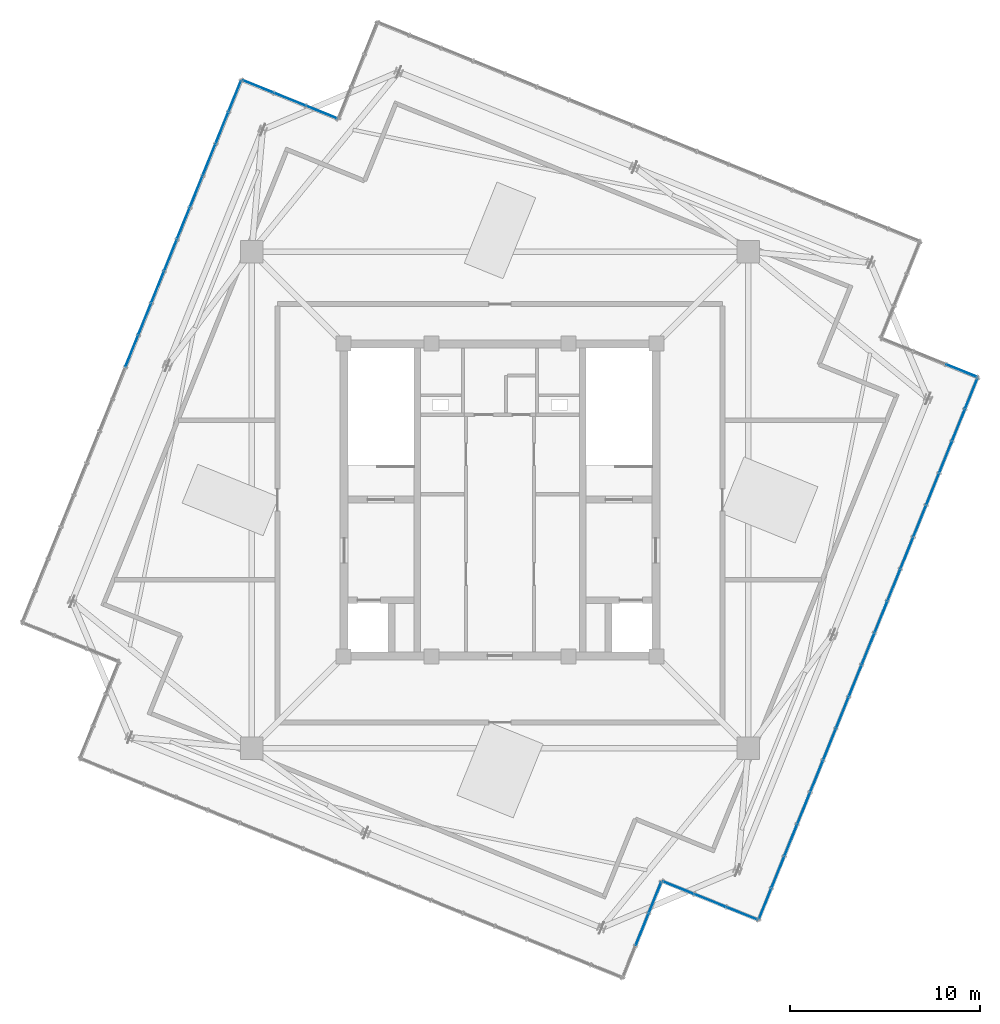
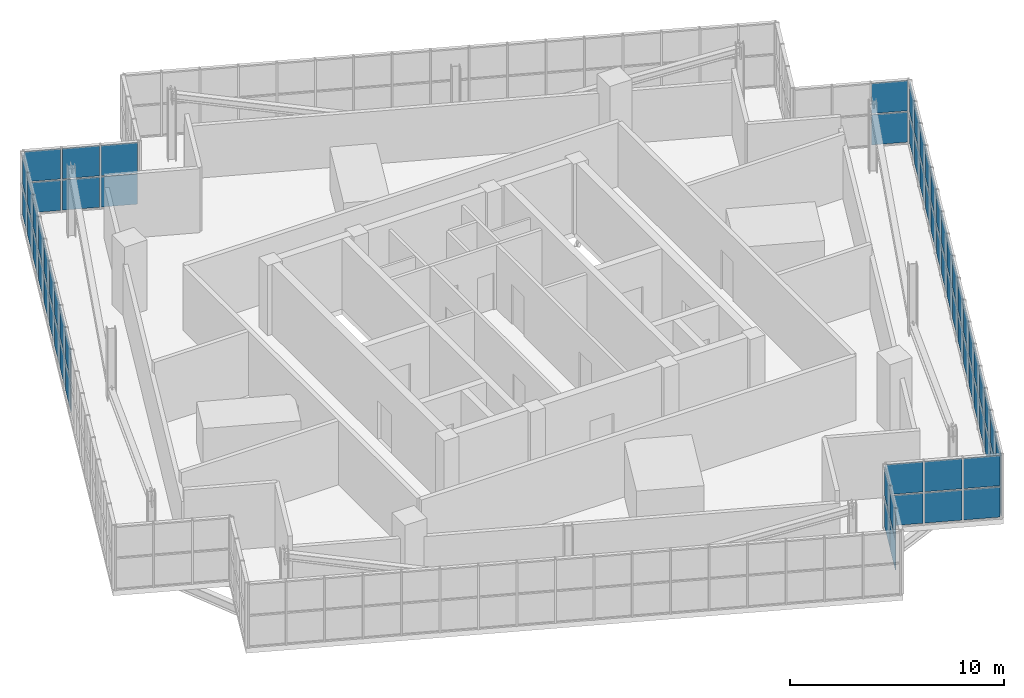
# One storey, part 19 of 26: 70 plates, 6 elements without a shape of their own.
"""IFC4 building model written with IfcOpenShell, lengths in metres."""

from ifc_helpers import new_model, si_unit, direction, frame, origin, origin_2d, place, context, subcontext, project, spatial, rectangle, extrude, source, transform, mapped, material, layer, layer_set, type_object, element, aggregate, save


model = new_model("IFC4")

# Units and contexts
model_context = context("Model", 3, precision=1e-05, world=origin(), true_north=direction((0.0, 1.0)))
body_context = subcontext(model_context, "Body", "Model", "MODEL_VIEW")
ifc_project = project(units=[si_unit("LENGTHUNIT", "METRE"), si_unit("AREAUNIT", "SQUARE_METRE"), si_unit("VOLUMEUNIT", "CUBIC_METRE"), si_unit("PLANEANGLEUNIT", "RADIAN"), si_unit("MASSUNIT", "GRAM", prefix="KILO"), si_unit("THERMODYNAMICTEMPERATUREUNIT", "KELVIN")], contexts=[model_context])

# Site, building, storey
site_placement = place(None, origin())
site = spatial("IfcSite", under=ifc_project, at=site_placement, CompositionType="ELEMENT")
building_placement = place(site_placement, origin())
building = spatial("IfcBuilding", under=site, at=building_placement, Name="Kosmvard Interchange Tower", CompositionType="ELEMENT")
storey_placement = place(building_placement, frame((0.0, 0.0, 341.60009765625)))
storey = spatial("IfcBuildingStorey", under=building, at=storey_placement, Name="L84", CompositionType="ELEMENT", Elevation=341.60009765625)

# Curtain wall, plates
ifc_material_1 = material(Name="Architectural anodised aluminium", Category="aluminium")
ifc_layer_1 = layer(ifc_material_1, 0.25, Name="Architectural anodised aluminium")
ifc_layer_set_1 = layer_set([ifc_layer_1], Name="Architectural anodised aluminium")
curtain_wall_type = type_object("IfcCurtainWallType", Name="CW-6 Illuminated Crown Lantern Curtain Wall", PredefinedType="NOTDEFINED", material=ifc_layer_set_1)
curtain_wall_1_placement = place(storey_placement, origin())
curtain_wall_1 = element("IfcCurtainWall", 1, at=curtain_wall_1_placement, inside=storey, type_object=curtain_wall_type, Name="L84 Crown Lantern Glazing Face 01", PredefinedType="NOTDEFINED")
ifc_material_2 = material(Name="Laminated acoustic lantern glazing", Category="glass")
ifc_layer_2 = layer(ifc_material_2, 0.035888671875, Name="Laminated acoustic lantern glazing")
ifc_layer_set_2 = layer_set([ifc_layer_2], Name="Laminated acoustic lantern glazing")
plate_type = type_object("IfcPlateType", Name="Lantern Diffused Illuminated Panel 36", PredefinedType="CURTAIN_PANEL", material=ifc_layer_set_2)
shared_shape_1 = source(origin(), body_context, "Body", "SweptSolid", [
    extrude(rectangle(XDim=1.694091796875, YDim=0.035888671875, at=origin_2d()), origin(), (0.0, 0.0, 1.0), 1.719970703125),
])
plate_1_placement = place(storey_placement, frame((13.967529296875, -21.2744140625, 0.06982421875), z_axis=(0.0, 0.0, 1.0), x_axis=(0.374606584758, 0.927183858065, 0.0)))
plate_1 = element("IfcPlate", 2, at=plate_1_placement, type_object=plate_type, Name="CW-6 panel 1.1", PredefinedType="CURTAIN_PANEL", context=body_context, shape_type="MappedRepresentation", body=[
    mapped(shared_shape_1, transform((0.0, 0.0, 0.0), scale=1.0)),
])
plate_2_placement = place(storey_placement, frame((13.967529296875, -21.2744140625, 1.85986328125), z_axis=(0.0, 0.0, 1.0), x_axis=(0.374606584758, 0.927183858065, 0.0)))
plate_2 = element("IfcPlate", 3, at=plate_2_placement, type_object=plate_type, Name="CW-6 panel 1.2", PredefinedType="CURTAIN_PANEL", context=body_context, shape_type="MappedRepresentation", body=[
    mapped(shared_shape_1, transform((0.0, 0.0, 0.0), scale=1.0)),
])
plate_3_placement = place(storey_placement, frame((24.825927734375, 5.600830078125, 0.06982421875), z_axis=(0.0, 0.0, 1.0), x_axis=(0.374606584758, 0.927183858065, 0.0)))
plate_3 = element("IfcPlate", 4, at=plate_3_placement, type_object=plate_type, Name="CW-6 panel 17.1", PredefinedType="CURTAIN_PANEL", context=body_context, shape_type="MappedRepresentation", body=[
    mapped(shared_shape_1, transform((0.0, 0.0, 0.0), scale=1.0)),
])
plate_4_placement = place(storey_placement, frame((24.825927734375, 5.600830078125, 1.85986328125), z_axis=(0.0, 0.0, 1.0), x_axis=(0.374606584758, 0.927183858065, 0.0)))
plate_4 = element("IfcPlate", 5, at=plate_4_placement, type_object=plate_type, Name="CW-6 panel 17.2", PredefinedType="CURTAIN_PANEL", context=body_context, shape_type="MappedRepresentation", body=[
    mapped(shared_shape_1, transform((0.0, 0.0, 0.0), scale=1.0)),
])

curtain_wall_2_placement = place(storey_placement, origin())
curtain_wall_2 = element("IfcCurtainWall", 6, at=curtain_wall_2_placement, inside=storey, type_object=curtain_wall_type, Name="L84 Crown Lantern Glazing Face 07", PredefinedType="NOTDEFINED")
plate_5_placement = place(storey_placement, frame((-13.967529296875, 21.2744140625, 0.06982421875), z_axis=(0.0, 0.0, 1.0), x_axis=(-0.374606584758, -0.927183858065, 0.0)))
plate_5 = element("IfcPlate", 7, at=plate_5_placement, type_object=plate_type, Name="CW-6 panel 1.1", PredefinedType="CURTAIN_PANEL", context=body_context, shape_type="MappedRepresentation", body=[
    mapped(shared_shape_1, transform((0.0, 0.0, 0.0), scale=1.0)),
])
plate_6_placement = place(storey_placement, frame((-13.967529296875, 21.2744140625, 1.85986328125), z_axis=(0.0, 0.0, 1.0), x_axis=(-0.374606584758, -0.927183858065, 0.0)))
plate_6 = element("IfcPlate", 8, at=plate_6_placement, type_object=plate_type, Name="CW-6 panel 1.2", PredefinedType="CURTAIN_PANEL", context=body_context, shape_type="MappedRepresentation", body=[
    mapped(shared_shape_1, transform((0.0, 0.0, 0.0), scale=1.0)),
])

# Plate
shared_shape_2 = source(origin(), body_context, "Body", "SweptSolid", [
    extrude(rectangle(XDim=1.734130859375, YDim=0.035888671875, at=origin_2d()), origin(), (0.0, 0.0, 1.0), 1.719970703125),
])
plate_7_placement = place(storey_placement, frame((14.6396484375, -19.61083984375, 0.06982421875), z_axis=(0.0, 0.0, 1.0), x_axis=(0.374606584758, 0.927183858065, 0.0)))
plate_7 = element("IfcPlate", 9, at=plate_7_placement, type_object=plate_type, Name="CW-6 panel 2.1", PredefinedType="CURTAIN_PANEL", context=body_context, shape_type="MappedRepresentation", body=[
    mapped(shared_shape_2, transform((0.0, 0.0, 0.0), scale=1.0)),
])

plate_8_placement = place(storey_placement, frame((14.6396484375, -19.61083984375, 1.85986328125), z_axis=(0.0, 0.0, 1.0), x_axis=(0.374606584758, 0.927183858065, 0.0)))
plate_8 = element("IfcPlate", 10, at=plate_8_placement, type_object=plate_type, Name="CW-6 panel 2.2", PredefinedType="CURTAIN_PANEL", context=body_context, shape_type="MappedRepresentation", body=[
    mapped(shared_shape_2, transform((0.0, 0.0, 0.0), scale=1.0)),
])

plate_9_placement = place(storey_placement, frame((15.319091796875, -17.928955078125, 0.06982421875), z_axis=(0.0, 0.0, 1.0), x_axis=(0.374606584758, 0.927183858065, 0.0)))
plate_9 = element("IfcPlate", 11, at=plate_9_placement, type_object=plate_type, Name="CW-6 panel 3.1", PredefinedType="CURTAIN_PANEL", context=body_context, shape_type="MappedRepresentation", body=[
    mapped(shared_shape_2, transform((0.0, 0.0, 0.0), scale=1.0)),
])

plate_10_placement = place(storey_placement, frame((15.319091796875, -17.928955078125, 1.85986328125), z_axis=(0.0, 0.0, 1.0), x_axis=(0.374606584758, 0.927183858065, 0.0)))
plate_10 = element("IfcPlate", 12, at=plate_10_placement, type_object=plate_type, Name="CW-6 panel 3.2", PredefinedType="CURTAIN_PANEL", context=body_context, shape_type="MappedRepresentation", body=[
    mapped(shared_shape_2, transform((0.0, 0.0, 0.0), scale=1.0)),
])

plate_11_placement = place(storey_placement, frame((15.998779296875, -16.246826171875, 0.06982421875), z_axis=(0.0, 0.0, 1.0), x_axis=(0.374606584758, 0.927183858065, 0.0)))
plate_11 = element("IfcPlate", 13, at=plate_11_placement, type_object=plate_type, Name="CW-6 panel 4.1", PredefinedType="CURTAIN_PANEL", context=body_context, shape_type="MappedRepresentation", body=[
    mapped(shared_shape_2, transform((0.0, 0.0, 0.0), scale=1.0)),
])

plate_12_placement = place(storey_placement, frame((15.998779296875, -16.246826171875, 1.85986328125), z_axis=(0.0, 0.0, 1.0), x_axis=(0.374606584758, 0.927183858065, 0.0)))
plate_12 = element("IfcPlate", 14, at=plate_12_placement, type_object=plate_type, Name="CW-6 panel 4.2", PredefinedType="CURTAIN_PANEL", context=body_context, shape_type="MappedRepresentation", body=[
    mapped(shared_shape_2, transform((0.0, 0.0, 0.0), scale=1.0)),
])

plate_13_placement = place(storey_placement, frame((16.678466796875, -14.56494140625, 0.06982421875), z_axis=(0.0, 0.0, 1.0), x_axis=(0.374606584758, 0.927183858065, 0.0)))
plate_13 = element("IfcPlate", 15, at=plate_13_placement, type_object=plate_type, Name="CW-6 panel 5.1", PredefinedType="CURTAIN_PANEL", context=body_context, shape_type="MappedRepresentation", body=[
    mapped(shared_shape_2, transform((0.0, 0.0, 0.0), scale=1.0)),
])

plate_14_placement = place(storey_placement, frame((16.678466796875, -14.56494140625, 1.85986328125), z_axis=(0.0, 0.0, 1.0), x_axis=(0.374606584758, 0.927183858065, 0.0)))
plate_14 = element("IfcPlate", 16, at=plate_14_placement, type_object=plate_type, Name="CW-6 panel 5.2", PredefinedType="CURTAIN_PANEL", context=body_context, shape_type="MappedRepresentation", body=[
    mapped(shared_shape_2, transform((0.0, 0.0, 0.0), scale=1.0)),
])

plate_15_placement = place(storey_placement, frame((17.35791015625, -12.8828125, 0.06982421875), z_axis=(0.0, 0.0, 1.0), x_axis=(0.374606584758, 0.927183858065, 0.0)))
plate_15 = element("IfcPlate", 17, at=plate_15_placement, type_object=plate_type, Name="CW-6 panel 6.1", PredefinedType="CURTAIN_PANEL", context=body_context, shape_type="MappedRepresentation", body=[
    mapped(shared_shape_2, transform((0.0, 0.0, 0.0), scale=1.0)),
])

plate_16_placement = place(storey_placement, frame((17.35791015625, -12.8828125, 1.85986328125), z_axis=(0.0, 0.0, 1.0), x_axis=(0.374606584758, 0.927183858065, 0.0)))
plate_16 = element("IfcPlate", 18, at=plate_16_placement, type_object=plate_type, Name="CW-6 panel 6.2", PredefinedType="CURTAIN_PANEL", context=body_context, shape_type="MappedRepresentation", body=[
    mapped(shared_shape_2, transform((0.0, 0.0, 0.0), scale=1.0)),
])

plate_17_placement = place(storey_placement, frame((18.03759765625, -11.200927734375, 0.06982421875), z_axis=(0.0, 0.0, 1.0), x_axis=(0.374606584758, 0.927183858065, 0.0)))
plate_17 = element("IfcPlate", 19, at=plate_17_placement, type_object=plate_type, Name="CW-6 panel 7.1", PredefinedType="CURTAIN_PANEL", context=body_context, shape_type="MappedRepresentation", body=[
    mapped(shared_shape_2, transform((0.0, 0.0, 0.0), scale=1.0)),
])

plate_18_placement = place(storey_placement, frame((18.03759765625, -11.200927734375, 1.85986328125), z_axis=(0.0, 0.0, 1.0), x_axis=(0.374606584758, 0.927183858065, 0.0)))
plate_18 = element("IfcPlate", 20, at=plate_18_placement, type_object=plate_type, Name="CW-6 panel 7.2", PredefinedType="CURTAIN_PANEL", context=body_context, shape_type="MappedRepresentation", body=[
    mapped(shared_shape_2, transform((0.0, 0.0, 0.0), scale=1.0)),
])

plate_19_placement = place(storey_placement, frame((18.717041015625, -9.518798828125, 0.06982421875), z_axis=(0.0, 0.0, 1.0), x_axis=(0.374606584758, 0.927183858065, 0.0)))
plate_19 = element("IfcPlate", 21, at=plate_19_placement, type_object=plate_type, Name="CW-6 panel 8.1", PredefinedType="CURTAIN_PANEL", context=body_context, shape_type="MappedRepresentation", body=[
    mapped(shared_shape_2, transform((0.0, 0.0, 0.0), scale=1.0)),
])

plate_20_placement = place(storey_placement, frame((18.717041015625, -9.518798828125, 1.85986328125), z_axis=(0.0, 0.0, 1.0), x_axis=(0.374606584758, 0.927183858065, 0.0)))
plate_20 = element("IfcPlate", 22, at=plate_20_placement, type_object=plate_type, Name="CW-6 panel 8.2", PredefinedType="CURTAIN_PANEL", context=body_context, shape_type="MappedRepresentation", body=[
    mapped(shared_shape_2, transform((0.0, 0.0, 0.0), scale=1.0)),
])

plate_21_placement = place(storey_placement, frame((19.396728515625, -7.836669921875, 0.06982421875), z_axis=(0.0, 0.0, 1.0), x_axis=(0.374606584758, 0.927183858065, 0.0)))
plate_21 = element("IfcPlate", 23, at=plate_21_placement, type_object=plate_type, Name="CW-6 panel 9.1", PredefinedType="CURTAIN_PANEL", context=body_context, shape_type="MappedRepresentation", body=[
    mapped(shared_shape_2, transform((0.0, 0.0, 0.0), scale=1.0)),
])

plate_22_placement = place(storey_placement, frame((19.396728515625, -7.836669921875, 1.85986328125), z_axis=(0.0, 0.0, 1.0), x_axis=(0.374606584758, 0.927183858065, 0.0)))
plate_22 = element("IfcPlate", 24, at=plate_22_placement, type_object=plate_type, Name="CW-6 panel 9.2", PredefinedType="CURTAIN_PANEL", context=body_context, shape_type="MappedRepresentation", body=[
    mapped(shared_shape_2, transform((0.0, 0.0, 0.0), scale=1.0)),
])

plate_23_placement = place(storey_placement, frame((20.076171875, -6.15478515625, 0.06982421875), z_axis=(0.0, 0.0, 1.0), x_axis=(0.374606584758, 0.927183858065, 0.0)))
plate_23 = element("IfcPlate", 25, at=plate_23_placement, type_object=plate_type, Name="CW-6 panel 10.1", PredefinedType="CURTAIN_PANEL", context=body_context, shape_type="MappedRepresentation", body=[
    mapped(shared_shape_2, transform((0.0, 0.0, 0.0), scale=1.0)),
])

plate_24_placement = place(storey_placement, frame((20.076171875, -6.15478515625, 1.85986328125), z_axis=(0.0, 0.0, 1.0), x_axis=(0.374606584758, 0.927183858065, 0.0)))
plate_24 = element("IfcPlate", 26, at=plate_24_placement, type_object=plate_type, Name="CW-6 panel 10.2", PredefinedType="CURTAIN_PANEL", context=body_context, shape_type="MappedRepresentation", body=[
    mapped(shared_shape_2, transform((0.0, 0.0, 0.0), scale=1.0)),
])

plate_25_placement = place(storey_placement, frame((20.755859375, -4.47265625, 0.06982421875), z_axis=(0.0, 0.0, 1.0), x_axis=(0.374606584758, 0.927183858065, 0.0)))
plate_25 = element("IfcPlate", 27, at=plate_25_placement, type_object=plate_type, Name="CW-6 panel 11.1", PredefinedType="CURTAIN_PANEL", context=body_context, shape_type="MappedRepresentation", body=[
    mapped(shared_shape_2, transform((0.0, 0.0, 0.0), scale=1.0)),
])

plate_26_placement = place(storey_placement, frame((20.755859375, -4.47265625, 1.85986328125), z_axis=(0.0, 0.0, 1.0), x_axis=(0.374606584758, 0.927183858065, 0.0)))
plate_26 = element("IfcPlate", 28, at=plate_26_placement, type_object=plate_type, Name="CW-6 panel 11.2", PredefinedType="CURTAIN_PANEL", context=body_context, shape_type="MappedRepresentation", body=[
    mapped(shared_shape_2, transform((0.0, 0.0, 0.0), scale=1.0)),
])

plate_27_placement = place(storey_placement, frame((21.435546875, -2.790771484375, 0.06982421875), z_axis=(0.0, 0.0, 1.0), x_axis=(0.374606584758, 0.927183858065, 0.0)))
plate_27 = element("IfcPlate", 29, at=plate_27_placement, type_object=plate_type, Name="CW-6 panel 12.1", PredefinedType="CURTAIN_PANEL", context=body_context, shape_type="MappedRepresentation", body=[
    mapped(shared_shape_2, transform((0.0, 0.0, 0.0), scale=1.0)),
])

plate_28_placement = place(storey_placement, frame((21.435546875, -2.790771484375, 1.85986328125), z_axis=(0.0, 0.0, 1.0), x_axis=(0.374606584758, 0.927183858065, 0.0)))
plate_28 = element("IfcPlate", 30, at=plate_28_placement, type_object=plate_type, Name="CW-6 panel 12.2", PredefinedType="CURTAIN_PANEL", context=body_context, shape_type="MappedRepresentation", body=[
    mapped(shared_shape_2, transform((0.0, 0.0, 0.0), scale=1.0)),
])

plate_29_placement = place(storey_placement, frame((22.114990234375, -1.108642578125, 0.06982421875), z_axis=(0.0, 0.0, 1.0), x_axis=(0.374606584758, 0.927183858065, 0.0)))
plate_29 = element("IfcPlate", 31, at=plate_29_placement, type_object=plate_type, Name="CW-6 panel 13.1", PredefinedType="CURTAIN_PANEL", context=body_context, shape_type="MappedRepresentation", body=[
    mapped(shared_shape_2, transform((0.0, 0.0, 0.0), scale=1.0)),
])

plate_30_placement = place(storey_placement, frame((22.114990234375, -1.108642578125, 1.85986328125), z_axis=(0.0, 0.0, 1.0), x_axis=(0.374606584758, 0.927183858065, 0.0)))
plate_30 = element("IfcPlate", 32, at=plate_30_placement, type_object=plate_type, Name="CW-6 panel 13.2", PredefinedType="CURTAIN_PANEL", context=body_context, shape_type="MappedRepresentation", body=[
    mapped(shared_shape_2, transform((0.0, 0.0, 0.0), scale=1.0)),
])

plate_31_placement = place(storey_placement, frame((22.794677734375, 0.5732421875, 0.06982421875), z_axis=(0.0, 0.0, 1.0), x_axis=(0.374606584758, 0.927183858065, 0.0)))
plate_31 = element("IfcPlate", 33, at=plate_31_placement, type_object=plate_type, Name="CW-6 panel 14.1", PredefinedType="CURTAIN_PANEL", context=body_context, shape_type="MappedRepresentation", body=[
    mapped(shared_shape_2, transform((0.0, 0.0, 0.0), scale=1.0)),
])

plate_32_placement = place(storey_placement, frame((22.794677734375, 0.5732421875, 1.85986328125), z_axis=(0.0, 0.0, 1.0), x_axis=(0.374606584758, 0.927183858065, 0.0)))
plate_32 = element("IfcPlate", 34, at=plate_32_placement, type_object=plate_type, Name="CW-6 panel 14.2", PredefinedType="CURTAIN_PANEL", context=body_context, shape_type="MappedRepresentation", body=[
    mapped(shared_shape_2, transform((0.0, 0.0, 0.0), scale=1.0)),
])

plate_33_placement = place(storey_placement, frame((23.47412109375, 2.25537109375, 0.06982421875), z_axis=(0.0, 0.0, 1.0), x_axis=(0.374606584758, 0.927183858065, 0.0)))
plate_33 = element("IfcPlate", 35, at=plate_33_placement, type_object=plate_type, Name="CW-6 panel 15.1", PredefinedType="CURTAIN_PANEL", context=body_context, shape_type="MappedRepresentation", body=[
    mapped(shared_shape_2, transform((0.0, 0.0, 0.0), scale=1.0)),
])

plate_34_placement = place(storey_placement, frame((23.47412109375, 2.25537109375, 1.85986328125), z_axis=(0.0, 0.0, 1.0), x_axis=(0.374606584758, 0.927183858065, 0.0)))
plate_34 = element("IfcPlate", 36, at=plate_34_placement, type_object=plate_type, Name="CW-6 panel 15.2", PredefinedType="CURTAIN_PANEL", context=body_context, shape_type="MappedRepresentation", body=[
    mapped(shared_shape_2, transform((0.0, 0.0, 0.0), scale=1.0)),
])

plate_35_placement = place(storey_placement, frame((24.15380859375, 3.937255859375, 0.06982421875), z_axis=(0.0, 0.0, 1.0), x_axis=(0.374606584758, 0.927183858065, 0.0)))
plate_35 = element("IfcPlate", 37, at=plate_35_placement, type_object=plate_type, Name="CW-6 panel 16.1", PredefinedType="CURTAIN_PANEL", context=body_context, shape_type="MappedRepresentation", body=[
    mapped(shared_shape_2, transform((0.0, 0.0, 0.0), scale=1.0)),
])

plate_36_placement = place(storey_placement, frame((24.15380859375, 3.937255859375, 1.85986328125), z_axis=(0.0, 0.0, 1.0), x_axis=(0.374606584758, 0.927183858065, 0.0)))
plate_36 = element("IfcPlate", 38, at=plate_36_placement, type_object=plate_type, Name="CW-6 panel 16.2", PredefinedType="CURTAIN_PANEL", context=body_context, shape_type="MappedRepresentation", body=[
    mapped(shared_shape_2, transform((0.0, 0.0, 0.0), scale=1.0)),
])

aggregate(curtain_wall_1, [plate_1, plate_2, plate_7, plate_8, plate_9, plate_10, plate_11, plate_12, plate_13, plate_14, plate_15, plate_16, plate_17, plate_18, plate_19, plate_20, plate_21, plate_22, plate_23, plate_24, plate_25, plate_26, plate_27, plate_28, plate_29, plate_30, plate_31, plate_32, plate_33, plate_34, plate_35, plate_36, plate_3, plate_4])

plate_37_placement = place(storey_placement, frame((-14.6396484375, 19.61083984375, 0.06982421875), z_axis=(0.0, 0.0, 1.0), x_axis=(-0.374606584758, -0.927183858065, 0.0)))
plate_37 = element("IfcPlate", 39, at=plate_37_placement, type_object=plate_type, Name="CW-6 panel 2.1", PredefinedType="CURTAIN_PANEL", context=body_context, shape_type="MappedRepresentation", body=[
    mapped(shared_shape_2, transform((0.0, 0.0, 0.0), scale=1.0)),
])

plate_38_placement = place(storey_placement, frame((-14.6396484375, 19.61083984375, 1.85986328125), z_axis=(0.0, 0.0, 1.0), x_axis=(-0.374606584758, -0.927183858065, 0.0)))
plate_38 = element("IfcPlate", 40, at=plate_38_placement, type_object=plate_type, Name="CW-6 panel 2.2", PredefinedType="CURTAIN_PANEL", context=body_context, shape_type="MappedRepresentation", body=[
    mapped(shared_shape_2, transform((0.0, 0.0, 0.0), scale=1.0)),
])

plate_39_placement = place(storey_placement, frame((-15.319091796875, 17.928955078125, 0.06982421875), z_axis=(0.0, 0.0, 1.0), x_axis=(-0.374606584758, -0.927183858065, 0.0)))
plate_39 = element("IfcPlate", 41, at=plate_39_placement, type_object=plate_type, Name="CW-6 panel 3.1", PredefinedType="CURTAIN_PANEL", context=body_context, shape_type="MappedRepresentation", body=[
    mapped(shared_shape_2, transform((0.0, 0.0, 0.0), scale=1.0)),
])

plate_40_placement = place(storey_placement, frame((-15.319091796875, 17.928955078125, 1.85986328125), z_axis=(0.0, 0.0, 1.0), x_axis=(-0.374606584758, -0.927183858065, 0.0)))
plate_40 = element("IfcPlate", 42, at=plate_40_placement, type_object=plate_type, Name="CW-6 panel 3.2", PredefinedType="CURTAIN_PANEL", context=body_context, shape_type="MappedRepresentation", body=[
    mapped(shared_shape_2, transform((0.0, 0.0, 0.0), scale=1.0)),
])

plate_41_placement = place(storey_placement, frame((-15.998779296875, 16.246826171875, 0.06982421875), z_axis=(0.0, 0.0, 1.0), x_axis=(-0.374606584758, -0.927183858065, 0.0)))
plate_41 = element("IfcPlate", 43, at=plate_41_placement, type_object=plate_type, Name="CW-6 panel 4.1", PredefinedType="CURTAIN_PANEL", context=body_context, shape_type="MappedRepresentation", body=[
    mapped(shared_shape_2, transform((0.0, 0.0, 0.0), scale=1.0)),
])

plate_42_placement = place(storey_placement, frame((-15.998779296875, 16.246826171875, 1.85986328125), z_axis=(0.0, 0.0, 1.0), x_axis=(-0.374606584758, -0.927183858065, 0.0)))
plate_42 = element("IfcPlate", 44, at=plate_42_placement, type_object=plate_type, Name="CW-6 panel 4.2", PredefinedType="CURTAIN_PANEL", context=body_context, shape_type="MappedRepresentation", body=[
    mapped(shared_shape_2, transform((0.0, 0.0, 0.0), scale=1.0)),
])

plate_43_placement = place(storey_placement, frame((-16.678466796875, 14.56494140625, 0.06982421875), z_axis=(0.0, 0.0, 1.0), x_axis=(-0.374606584758, -0.927183858065, 0.0)))
plate_43 = element("IfcPlate", 45, at=plate_43_placement, type_object=plate_type, Name="CW-6 panel 5.1", PredefinedType="CURTAIN_PANEL", context=body_context, shape_type="MappedRepresentation", body=[
    mapped(shared_shape_2, transform((0.0, 0.0, 0.0), scale=1.0)),
])

plate_44_placement = place(storey_placement, frame((-16.678466796875, 14.56494140625, 1.85986328125), z_axis=(0.0, 0.0, 1.0), x_axis=(-0.374606584758, -0.927183858065, 0.0)))
plate_44 = element("IfcPlate", 46, at=plate_44_placement, type_object=plate_type, Name="CW-6 panel 5.2", PredefinedType="CURTAIN_PANEL", context=body_context, shape_type="MappedRepresentation", body=[
    mapped(shared_shape_2, transform((0.0, 0.0, 0.0), scale=1.0)),
])

plate_45_placement = place(storey_placement, frame((-17.35791015625, 12.8828125, 0.06982421875), z_axis=(0.0, 0.0, 1.0), x_axis=(-0.374606584758, -0.927183858065, 0.0)))
plate_45 = element("IfcPlate", 47, at=plate_45_placement, type_object=plate_type, Name="CW-6 panel 6.1", PredefinedType="CURTAIN_PANEL", context=body_context, shape_type="MappedRepresentation", body=[
    mapped(shared_shape_2, transform((0.0, 0.0, 0.0), scale=1.0)),
])

plate_46_placement = place(storey_placement, frame((-17.35791015625, 12.8828125, 1.85986328125), z_axis=(0.0, 0.0, 1.0), x_axis=(-0.374606584758, -0.927183858065, 0.0)))
plate_46 = element("IfcPlate", 48, at=plate_46_placement, type_object=plate_type, Name="CW-6 panel 6.2", PredefinedType="CURTAIN_PANEL", context=body_context, shape_type="MappedRepresentation", body=[
    mapped(shared_shape_2, transform((0.0, 0.0, 0.0), scale=1.0)),
])

plate_47_placement = place(storey_placement, frame((-18.03759765625, 11.200927734375, 0.06982421875), z_axis=(0.0, 0.0, 1.0), x_axis=(-0.374606584758, -0.927183858065, 0.0)))
plate_47 = element("IfcPlate", 49, at=plate_47_placement, type_object=plate_type, Name="CW-6 panel 7.1", PredefinedType="CURTAIN_PANEL", context=body_context, shape_type="MappedRepresentation", body=[
    mapped(shared_shape_2, transform((0.0, 0.0, 0.0), scale=1.0)),
])

plate_48_placement = place(storey_placement, frame((-18.03759765625, 11.200927734375, 1.85986328125), z_axis=(0.0, 0.0, 1.0), x_axis=(-0.374606584758, -0.927183858065, 0.0)))
plate_48 = element("IfcPlate", 50, at=plate_48_placement, type_object=plate_type, Name="CW-6 panel 7.2", PredefinedType="CURTAIN_PANEL", context=body_context, shape_type="MappedRepresentation", body=[
    mapped(shared_shape_2, transform((0.0, 0.0, 0.0), scale=1.0)),
])

plate_49_placement = place(storey_placement, frame((-18.717041015625, 9.518798828125, 0.06982421875), z_axis=(0.0, 0.0, 1.0), x_axis=(-0.374606584758, -0.927183858065, 0.0)))
plate_49 = element("IfcPlate", 51, at=plate_49_placement, type_object=plate_type, Name="CW-6 panel 8.1", PredefinedType="CURTAIN_PANEL", context=body_context, shape_type="MappedRepresentation", body=[
    mapped(shared_shape_2, transform((0.0, 0.0, 0.0), scale=1.0)),
])

plate_50_placement = place(storey_placement, frame((-18.717041015625, 9.518798828125, 1.85986328125), z_axis=(0.0, 0.0, 1.0), x_axis=(-0.374606584758, -0.927183858065, 0.0)))
plate_50 = element("IfcPlate", 52, at=plate_50_placement, type_object=plate_type, Name="CW-6 panel 8.2", PredefinedType="CURTAIN_PANEL", context=body_context, shape_type="MappedRepresentation", body=[
    mapped(shared_shape_2, transform((0.0, 0.0, 0.0), scale=1.0)),
])

plate_51_placement = place(storey_placement, frame((-19.396728515625, 7.836669921875, 0.06982421875), z_axis=(0.0, 0.0, 1.0), x_axis=(-0.374606584758, -0.927183858065, 0.0)))
plate_51 = element("IfcPlate", 53, at=plate_51_placement, type_object=plate_type, Name="CW-6 panel 9.1", PredefinedType="CURTAIN_PANEL", context=body_context, shape_type="MappedRepresentation", body=[
    mapped(shared_shape_2, transform((0.0, 0.0, 0.0), scale=1.0)),
])

plate_52_placement = place(storey_placement, frame((-19.396728515625, 7.836669921875, 1.85986328125), z_axis=(0.0, 0.0, 1.0), x_axis=(-0.374606584758, -0.927183858065, 0.0)))
plate_52 = element("IfcPlate", 54, at=plate_52_placement, type_object=plate_type, Name="CW-6 panel 9.2", PredefinedType="CURTAIN_PANEL", context=body_context, shape_type="MappedRepresentation", body=[
    mapped(shared_shape_2, transform((0.0, 0.0, 0.0), scale=1.0)),
])

aggregate(curtain_wall_2, [plate_5, plate_6, plate_37, plate_38, plate_39, plate_40, plate_41, plate_42, plate_43, plate_44, plate_45, plate_46, plate_47, plate_48, plate_49, plate_50, plate_51, plate_52])

# Curtain wall, plates
curtain_wall_3_placement = place(storey_placement, origin())
curtain_wall_3 = element("IfcCurtainWall", 55, at=curtain_wall_3_placement, inside=storey, type_object=curtain_wall_type, Name="L84 Crown Lantern Glazing Face 02", PredefinedType="NOTDEFINED")
shared_shape_3 = source(origin(), body_context, "Body", "SweptSolid", [
    extrude(rectangle(XDim=1.71337890625, YDim=0.035888671875, at=origin_2d()), origin(), (0.0, 0.0, 1.0), 1.719970703125),
])
plate_53_placement = place(storey_placement, frame((24.3046875, 6.811279296875, 0.06982421875), z_axis=(0.0, 0.0, 1.0), x_axis=(-0.92718386612, 0.374606564822, 0.0)))
plate_53 = element("IfcPlate", 56, at=plate_53_placement, type_object=plate_type, Name="CW-6 panel 1.1", PredefinedType="CURTAIN_PANEL", context=body_context, shape_type="MappedRepresentation", body=[
    mapped(shared_shape_3, transform((0.0, 0.0, 0.0), scale=1.0)),
])
plate_54_placement = place(storey_placement, frame((24.3046875, 6.811279296875, 1.85986328125), z_axis=(0.0, 0.0, 1.0), x_axis=(-0.92718386612, 0.374606564822, 0.0)))
plate_54 = element("IfcPlate", 57, at=plate_54_placement, type_object=plate_type, Name="CW-6 panel 1.2", PredefinedType="CURTAIN_PANEL", context=body_context, shape_type="MappedRepresentation", body=[
    mapped(shared_shape_3, transform((0.0, 0.0, 0.0), scale=1.0)),
])
aggregate(curtain_wall_3, [plate_53, plate_54])

curtain_wall_4_placement = place(storey_placement, origin())
curtain_wall_4 = element("IfcCurtainWall", 58, at=curtain_wall_4_placement, inside=storey, type_object=curtain_wall_type, Name="L84 Crown Lantern Glazing Face 06", PredefinedType="NOTDEFINED")
plate_55_placement = place(storey_placement, frame((-9.38916015625, 20.424560546875, 0.06982421875), z_axis=(0.0, 0.0, 1.0), x_axis=(-0.927183891631, 0.374606501678, 0.0)))
plate_55 = element("IfcPlate", 59, at=plate_55_placement, type_object=plate_type, Name="CW-6 panel 1.1", PredefinedType="CURTAIN_PANEL", context=body_context, shape_type="MappedRepresentation", body=[
    mapped(shared_shape_3, transform((0.0, 0.0, 0.0), scale=1.0)),
])
plate_56_placement = place(storey_placement, frame((-9.38916015625, 20.424560546875, 1.85986328125), z_axis=(0.0, 0.0, 1.0), x_axis=(-0.927183891631, 0.374606501678, 0.0)))
plate_56 = element("IfcPlate", 60, at=plate_56_placement, type_object=plate_type, Name="CW-6 panel 1.2", PredefinedType="CURTAIN_PANEL", context=body_context, shape_type="MappedRepresentation", body=[
    mapped(shared_shape_3, transform((0.0, 0.0, 0.0), scale=1.0)),
])
plate_57_placement = place(storey_placement, frame((-12.751708984375, 21.782958984375, 0.06982421875), z_axis=(0.0, 0.0, 1.0), x_axis=(-0.927183891631, 0.374606501678, 0.0)))
plate_57 = element("IfcPlate", 61, at=plate_57_placement, type_object=plate_type, Name="CW-6 panel 3.1", PredefinedType="CURTAIN_PANEL", context=body_context, shape_type="MappedRepresentation", body=[
    mapped(shared_shape_3, transform((0.0, 0.0, 0.0), scale=1.0)),
])
plate_58_placement = place(storey_placement, frame((-12.751708984375, 21.782958984375, 1.85986328125), z_axis=(0.0, 0.0, 1.0), x_axis=(-0.927183891631, 0.374606501678, 0.0)))
plate_58 = element("IfcPlate", 62, at=plate_58_placement, type_object=plate_type, Name="CW-6 panel 3.2", PredefinedType="CURTAIN_PANEL", context=body_context, shape_type="MappedRepresentation", body=[
    mapped(shared_shape_3, transform((0.0, 0.0, 0.0), scale=1.0)),
])

curtain_wall_5_placement = place(storey_placement, origin())
curtain_wall_5 = element("IfcCurtainWall", 63, at=curtain_wall_5_placement, inside=storey, type_object=curtain_wall_type, Name="L84 Crown Lantern Glazing Face 11", PredefinedType="NOTDEFINED")
plate_59_placement = place(storey_placement, frame((8.169921875, -20.942138671875, 0.06982421875), z_axis=(0.0, 0.0, 1.0), x_axis=(0.374606564822, 0.92718386612, 0.0)))
plate_59 = element("IfcPlate", 64, at=plate_59_placement, type_object=plate_type, Name="CW-6 panel 3.1", PredefinedType="CURTAIN_PANEL", context=body_context, shape_type="MappedRepresentation", body=[
    mapped(shared_shape_3, transform((0.0, 0.0, 0.0), scale=1.0)),
])
plate_60_placement = place(storey_placement, frame((8.169921875, -20.942138671875, 1.85986328125), z_axis=(0.0, 0.0, 1.0), x_axis=(0.374606564822, 0.92718386612, 0.0)))
plate_60 = element("IfcPlate", 65, at=plate_60_placement, type_object=plate_type, Name="CW-6 panel 3.2", PredefinedType="CURTAIN_PANEL", context=body_context, shape_type="MappedRepresentation", body=[
    mapped(shared_shape_3, transform((0.0, 0.0, 0.0), scale=1.0)),
])

curtain_wall_6_placement = place(storey_placement, origin())
curtain_wall_6 = element("IfcCurtainWall", 66, at=curtain_wall_6_placement, inside=storey, type_object=curtain_wall_type, Name="L84 Crown Lantern Glazing Face 12", PredefinedType="NOTDEFINED")
plate_61_placement = place(storey_placement, frame((9.38916015625, -20.424560546875, 0.06982421875), z_axis=(0.0, 0.0, 1.0), x_axis=(0.927183891631, -0.374606501678, 0.0)))
plate_61 = element("IfcPlate", 67, at=plate_61_placement, type_object=plate_type, Name="CW-6 panel 1.1", PredefinedType="CURTAIN_PANEL", context=body_context, shape_type="MappedRepresentation", body=[
    mapped(shared_shape_3, transform((0.0, 0.0, 0.0), scale=1.0)),
])
plate_62_placement = place(storey_placement, frame((9.38916015625, -20.424560546875, 1.85986328125), z_axis=(0.0, 0.0, 1.0), x_axis=(0.927183891631, -0.374606501678, 0.0)))
plate_62 = element("IfcPlate", 68, at=plate_62_placement, type_object=plate_type, Name="CW-6 panel 1.2", PredefinedType="CURTAIN_PANEL", context=body_context, shape_type="MappedRepresentation", body=[
    mapped(shared_shape_3, transform((0.0, 0.0, 0.0), scale=1.0)),
])
plate_63_placement = place(storey_placement, frame((12.751708984375, -21.782958984375, 0.06982421875), z_axis=(0.0, 0.0, 1.0), x_axis=(0.927183891631, -0.374606501678, 0.0)))
plate_63 = element("IfcPlate", 69, at=plate_63_placement, type_object=plate_type, Name="CW-6 panel 3.1", PredefinedType="CURTAIN_PANEL", context=body_context, shape_type="MappedRepresentation", body=[
    mapped(shared_shape_3, transform((0.0, 0.0, 0.0), scale=1.0)),
])
plate_64_placement = place(storey_placement, frame((12.751708984375, -21.782958984375, 1.85986328125), z_axis=(0.0, 0.0, 1.0), x_axis=(0.927183891631, -0.374606501678, 0.0)))
plate_64 = element("IfcPlate", 70, at=plate_64_placement, type_object=plate_type, Name="CW-6 panel 3.2", PredefinedType="CURTAIN_PANEL", context=body_context, shape_type="MappedRepresentation", body=[
    mapped(shared_shape_3, transform((0.0, 0.0, 0.0), scale=1.0)),
])

# Plate
shared_shape_4 = source(origin(), body_context, "Body", "SweptSolid", [
    extrude(rectangle(XDim=1.75341796875, YDim=0.035888671875, at=origin_2d()), origin(), (0.0, 0.0, 1.0), 1.719970703125),
])
plate_65_placement = place(storey_placement, frame((-11.070556640625, 21.103759765625, 0.06982421875), z_axis=(0.0, 0.0, 1.0), x_axis=(-0.927183891631, 0.374606501678, 0.0)))
plate_65 = element("IfcPlate", 71, at=plate_65_placement, type_object=plate_type, Name="CW-6 panel 2.1", PredefinedType="CURTAIN_PANEL", context=body_context, shape_type="MappedRepresentation", body=[
    mapped(shared_shape_4, transform((0.0, 0.0, 0.0), scale=1.0)),
])

plate_66_placement = place(storey_placement, frame((-11.070556640625, 21.103759765625, 1.85986328125), z_axis=(0.0, 0.0, 1.0), x_axis=(-0.927183891631, 0.374606501678, 0.0)))
plate_66 = element("IfcPlate", 72, at=plate_66_placement, type_object=plate_type, Name="CW-6 panel 2.2", PredefinedType="CURTAIN_PANEL", context=body_context, shape_type="MappedRepresentation", body=[
    mapped(shared_shape_4, transform((0.0, 0.0, 0.0), scale=1.0)),
])

aggregate(curtain_wall_4, [plate_55, plate_56, plate_65, plate_66, plate_57, plate_58])

plate_67_placement = place(storey_placement, frame((7.490478515625, -22.623291015625, 0.06982421875), z_axis=(0.0, 0.0, 1.0), x_axis=(0.374606564822, 0.92718386612, 0.0)))
plate_67 = element("IfcPlate", 73, at=plate_67_placement, type_object=plate_type, Name="CW-6 panel 2.1", PredefinedType="CURTAIN_PANEL", context=body_context, shape_type="MappedRepresentation", body=[
    mapped(shared_shape_4, transform((0.0, 0.0, 0.0), scale=1.0)),
])

plate_68_placement = place(storey_placement, frame((7.490478515625, -22.623291015625, 1.85986328125), z_axis=(0.0, 0.0, 1.0), x_axis=(0.374606564822, 0.92718386612, 0.0)))
plate_68 = element("IfcPlate", 74, at=plate_68_placement, type_object=plate_type, Name="CW-6 panel 2.2", PredefinedType="CURTAIN_PANEL", context=body_context, shape_type="MappedRepresentation", body=[
    mapped(shared_shape_4, transform((0.0, 0.0, 0.0), scale=1.0)),
])

aggregate(curtain_wall_5, [plate_67, plate_68, plate_59, plate_60])

plate_69_placement = place(storey_placement, frame((11.070556640625, -21.103759765625, 0.06982421875), z_axis=(0.0, 0.0, 1.0), x_axis=(0.927183891631, -0.374606501678, 0.0)))
plate_69 = element("IfcPlate", 75, at=plate_69_placement, type_object=plate_type, Name="CW-6 panel 2.1", PredefinedType="CURTAIN_PANEL", context=body_context, shape_type="MappedRepresentation", body=[
    mapped(shared_shape_4, transform((0.0, 0.0, 0.0), scale=1.0)),
])

plate_70_placement = place(storey_placement, frame((11.070556640625, -21.103759765625, 1.85986328125), z_axis=(0.0, 0.0, 1.0), x_axis=(0.927183891631, -0.374606501678, 0.0)))
plate_70 = element("IfcPlate", 76, at=plate_70_placement, type_object=plate_type, Name="CW-6 panel 2.2", PredefinedType="CURTAIN_PANEL", context=body_context, shape_type="MappedRepresentation", body=[
    mapped(shared_shape_4, transform((0.0, 0.0, 0.0), scale=1.0)),
])

aggregate(curtain_wall_6, [plate_61, plate_62, plate_69, plate_70, plate_63, plate_64])

save(model, "model.ifc")
